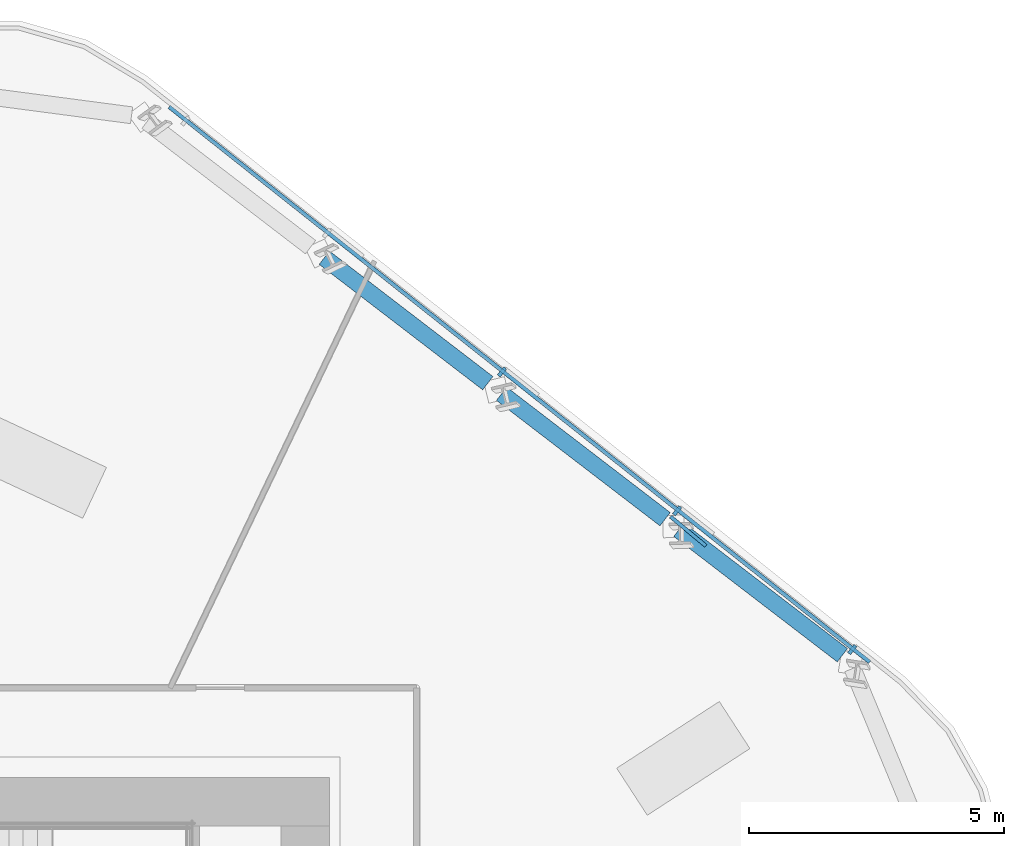
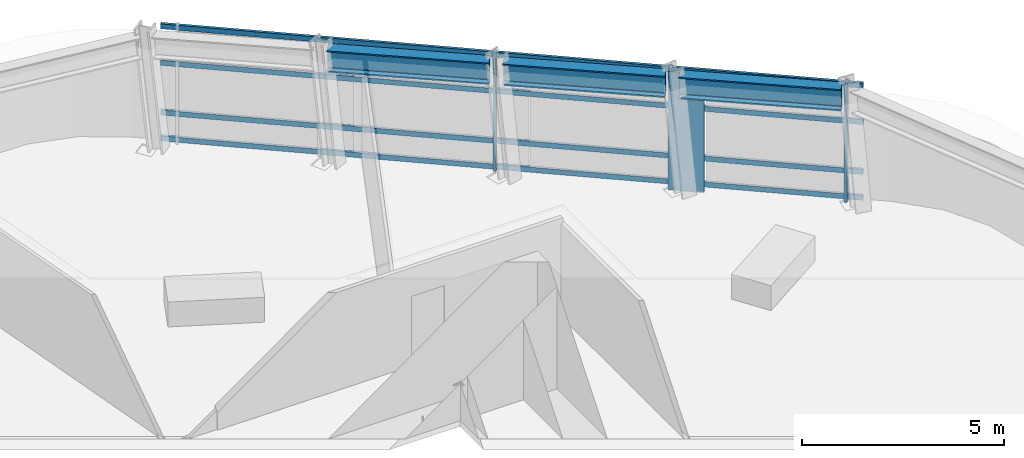
# One storey, part 6 of 17: 8 members, 3 beams, 1 element without a shape of its own.
"""IFC4 building model written with IfcOpenShell, lengths in metres."""

from ifc_helpers import new_model, si_unit, direction, frame, origin, origin_2d, place, context, subcontext, project, spatial, rectangle, i_section, extrude, material, layer, layer_set, material_profile, profile_set, type_object, element, aggregate, save


model = new_model("IFC4")

# Units and contexts
model_context = context("Model", 3, precision=1e-05, world=origin(), true_north=direction((0.0, 1.0)))
body_context = subcontext(model_context, "Body", "Model", "MODEL_VIEW")
ifc_project = project(units=[si_unit("LENGTHUNIT", "METRE"), si_unit("AREAUNIT", "SQUARE_METRE"), si_unit("VOLUMEUNIT", "CUBIC_METRE"), si_unit("PLANEANGLEUNIT", "RADIAN"), si_unit("MASSUNIT", "GRAM", prefix="KILO")], contexts=[model_context])

# Site, building, storey
site_placement = place(None, origin())
site = spatial("IfcSite", under=ifc_project, at=site_placement, CompositionType="ELEMENT")
building_placement = place(site_placement, origin())
building = spatial("IfcBuilding", under=site, at=building_placement, Name="Valkerne Bourse Tower", CompositionType="ELEMENT")
storey_placement = place(building_placement, frame((0.0, 0.0, 116.199951171875)))
storey = spatial("IfcBuildingStorey", under=building, at=storey_placement, Name="L29", CompositionType="ELEMENT", Elevation=116.199951171875)

# Beams
ifc_material_1 = material(Name="Steel ASTM A992", Category="steel")
ifc_material_profile_1 = material_profile(ifc_material_1, i_section(OverallWidth=0.330078125, OverallDepth=0.647705078125, WebThickness=0.0205078125, FlangeThickness=0.037109375, FilletRadius=0.020263671875, at=origin_2d()), Name="W24X192")
ifc_profile_set_1 = profile_set([ifc_material_profile_1], Name="Steel ASTM A992")
beam_type = type_object("IfcBeamType", Name="BM-W24X192", PredefinedType="SPANDREL", material=ifc_profile_set_1)
for number, where, z_axis, x_axis, name in (
    (1, (66.45703125, 38.4970703125, 3.25634765625), (-0.79335748069, 0.608756033098, 0.0), (-0.608756033098, -0.79335748069, 0.0), "L29 Hexagonal Spandrel Ring Beam 00"),
    (2, (62.979736328125, 41.165283203125, 3.25634765625), (-0.79335748069, 0.608756033098, 0.0), (-0.608756033098, -0.79335748069, 0.0), "L29 Hexagonal Spandrel Ring Beam 01"),
    (3, (59.50244140625, 43.83349609375, 3.25634765625), (-0.79335748069, 0.608756033098, 0.0), (-0.608756033098, -0.79335748069, 0.0), "L29 Hexagonal Spandrel Ring Beam 02"),
):
    element("IfcBeam", number, at=place(storey_placement, frame(where, z_axis=z_axis, x_axis=x_axis)), inside=storey, type_object=beam_type, Name=name, PredefinedType="SPANDREL", context=body_context, shape_type="SweptSolid", body=[
        extrude(i_section(OverallWidth=0.330078125, OverallDepth=0.647705078125, WebThickness=0.0205078125, FlangeThickness=0.037109375, FilletRadius=0.020263671875, at=origin_2d()), origin(), (0.0, 0.0, 1.0), 4.04296875),
    ])

# Curtain wall, members
ifc_material_2 = material(Name="Aluminium AA 6063-T6", Category="aluminium")
ifc_layer = layer(ifc_material_2, 0.22998046875)
ifc_layer_set = layer_set([ifc_layer], Name="Aluminium AA 6063-T6")
curtain_wall_type = type_object("IfcCurtainWallType", Name="CW-02", PredefinedType="NOTDEFINED", material=ifc_layer_set)
curtain_wall_placement = place(storey_placement, origin())
curtain_wall = element("IfcCurtainWall", 4, at=curtain_wall_placement, inside=storey, type_object=curtain_wall_type, Name="L29 Hexagonal Stick Curtain Wall Face 1", PredefinedType="NOTDEFINED")
ifc_material_profile_2 = material_profile(ifc_material_2, rectangle(XDim=0.074951171875, YDim=0.199951171875, at=origin_2d()), Name="CWM-75X200")
ifc_profile_set_2 = profile_set([ifc_material_profile_2], Name="Aluminium AA 6063-T6")
member_type_1 = type_object("IfcMemberType", Name="CW-MUL-220X75", PredefinedType="MULLION", material=ifc_profile_set_2)
member_1_placement = place(storey_placement, frame((66.650390625, 38.608642578125, 0.0), z_axis=(0.0, 0.0, 1.0), x_axis=(-0.783689924695, 0.621152237323, 0.0)))
member_1 = element("IfcMember", 5, at=member_1_placement, type_object=member_type_1, Name="CW-L29-F1 Jamb Mullion 00A", PredefinedType="MULLION", context=body_context, shape_type="SweptSolid", body=[
    extrude(rectangle(XDim=0.074951171875, YDim=0.199951171875, at=origin_2d()), origin(), (0.0, 0.0, 1.0), 3.580078125),
])
member_2_placement = place(storey_placement, frame((63.215576171875, 41.3310546875, 0.0), z_axis=(0.0, 0.0, 1.0), x_axis=(-0.783689924695, 0.621152237323, 0.0)))
member_2 = element("IfcMember", 6, at=member_2_placement, type_object=member_type_1, Name="CW-L29-F1 Jamb Mullion 01A", PredefinedType="MULLION", context=body_context, shape_type="SweptSolid", body=[
    extrude(rectangle(XDim=0.074951171875, YDim=0.199951171875, at=origin_2d()), origin(), (0.0, 0.0, 1.0), 3.580078125),
])
member_3_placement = place(storey_placement, frame((59.780517578125, 44.0537109375, 0.0), z_axis=(0.0, 0.0, 1.0), x_axis=(-0.783689924695, 0.621152237323, 0.0)))
member_3 = element("IfcMember", 7, at=member_3_placement, type_object=member_type_1, Name="CW-L29-F1 Jamb Mullion 02A", PredefinedType="MULLION", context=body_context, shape_type="SweptSolid", body=[
    extrude(rectangle(XDim=0.074951171875, YDim=0.199951171875, at=origin_2d()), origin(), (0.0, 0.0, 1.0), 3.580078125),
])
ifc_material_profile_3 = material_profile(ifc_material_2, rectangle(XDim=0.074951171875, YDim=0.14990234375, at=origin_2d()), Name="CWT-75X150")
ifc_profile_set_3 = profile_set([ifc_material_profile_3], Name="Aluminium AA 6063-T6")
member_type_2 = type_object("IfcMemberType", Name="CW-TRN-180X65", PredefinedType="USERDEFINED", material=ifc_profile_set_3)
member_4_placement = place(storey_placement, frame((66.991943359375, 38.36328125, 0.1201171875), z_axis=(-0.783689343701, 0.621152970346, 0.0), x_axis=(-0.621152970346, -0.783689343701, 0.0)))
member_4 = element("IfcMember", 8, at=member_4_placement, type_object=member_type_2, Name="CW-L29-F1 Continuous Face Transom 1", ObjectType="TRANSOM", PredefinedType="USERDEFINED", context=body_context, shape_type="SweptSolid", body=[
    extrude(rectangle(XDim=0.074951171875, YDim=0.14990234375, at=origin_2d()), origin(), (0.0, 0.0, 1.0), 17.5322265625),
])
member_5_placement = place(storey_placement, frame((66.991943359375, 38.36328125, 0.900146484375), z_axis=(-0.783689343701, 0.621152970346, 0.0), x_axis=(-0.621152970346, -0.783689343701, 0.0)))
member_5 = element("IfcMember", 9, at=member_5_placement, type_object=member_type_2, Name="CW-L29-F1 Continuous Face Transom 2", ObjectType="TRANSOM", PredefinedType="USERDEFINED", context=body_context, shape_type="SweptSolid", body=[
    extrude(rectangle(XDim=0.074951171875, YDim=0.14990234375, at=origin_2d()), origin(), (0.0, 0.0, 1.0), 17.5322265625),
])
member_6_placement = place(storey_placement, frame((66.991943359375, 38.36328125, 2.400146484375), z_axis=(-0.783689343701, 0.621152970346, 0.0), x_axis=(-0.621152970346, -0.783689343701, 0.0)))
member_6 = element("IfcMember", 10, at=member_6_placement, type_object=member_type_2, Name="CW-L29-F1 Continuous Face Transom 3", ObjectType="TRANSOM", PredefinedType="USERDEFINED", context=body_context, shape_type="SweptSolid", body=[
    extrude(rectangle(XDim=0.074951171875, YDim=0.14990234375, at=origin_2d()), origin(), (0.0, 0.0, 1.0), 17.5322265625),
])
member_7_placement = place(storey_placement, frame((66.991943359375, 38.36328125, 3.5), z_axis=(-0.783689343701, 0.621152970346, 0.0), x_axis=(-0.621152970346, -0.783689343701, 0.0)))
member_7 = element("IfcMember", 11, at=member_7_placement, type_object=member_type_2, Name="CW-L29-F1 Continuous Face Transom 4", ObjectType="TRANSOM", PredefinedType="USERDEFINED", context=body_context, shape_type="SweptSolid", body=[
    extrude(rectangle(XDim=0.074951171875, YDim=0.14990234375, at=origin_2d()), origin(), (0.0, 0.0, 1.0), 17.5322265625),
])
aggregate(curtain_wall, [member_4, member_5, member_6, member_7, member_1, member_2, member_3])

# Member
ifc_material_3 = material(Name="Bronze Anodised Aluminium AA 6063-T6", Category="aluminium")
ifc_material_profile_4 = material_profile(ifc_material_3, rectangle(XDim=0.070068359375, YDim=0.89990234375, at=origin_2d()), Name="FIN-70X900")
ifc_profile_set_4 = profile_set([ifc_material_profile_4], Name="Bronze Anodised Aluminium AA 6063-T6")
member_type_3 = type_object("IfcMemberType", Name="FIN-SOLAR-900", PredefinedType="USERDEFINED", material=ifc_profile_set_4)
member_8_placement = place(storey_placement, frame((63.432861328125, 40.92919921875, 0.004150390625), z_axis=(0.0, 0.0, 1.0), x_axis=(0.638025817459, 0.770014971449, 0.0)))
element("IfcMember", 12, at=member_8_placement, inside=storey, type_object=member_type_3, Name="L29 Bronze Anodised Solar Fin F1-01", ObjectType="SOLAR_FIN", PredefinedType="USERDEFINED", context=body_context, shape_type="SweptSolid", body=[
    extrude(rectangle(XDim=0.070068359375, YDim=0.89990234375, at=origin_2d()), origin(), (0.0, 0.0, 1.0), 3.57177734375),
])

save(model, "model.ifc")
